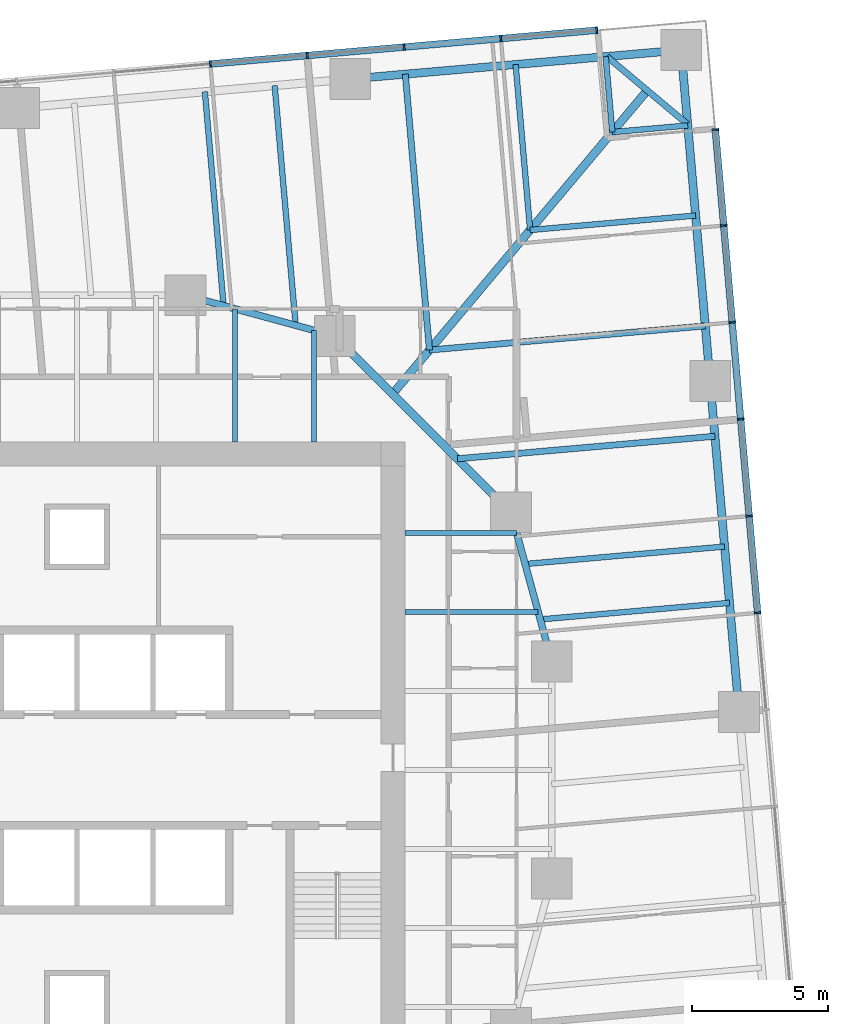
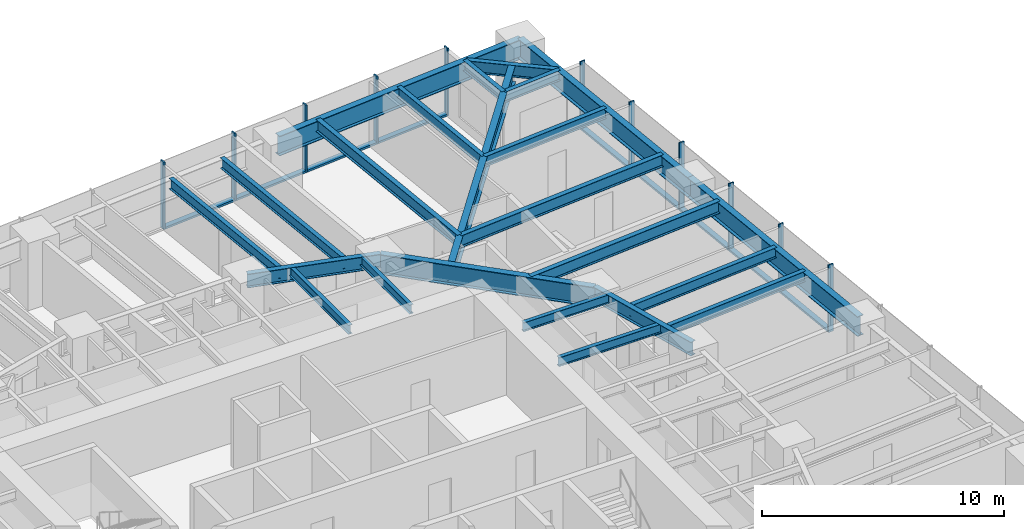
# One storey, part 6 of 14: 23 beams, 20 members, 2 elements without a shape of their own.
"""IFC4 building model written with IfcOpenShell, lengths in metres."""

from ifc_helpers import new_model, si_unit, direction, frame, origin, origin_2d, place, context, subcontext, project, spatial, rectangle, i_section, extrude, material, material_profile, profile_set, type_object, element, aggregate, save


model = new_model("IFC4")

# Units and contexts
model_context = context("Model", 3, precision=1e-05, world=origin(), true_north=direction((0.0, 1.0)))
body_context = subcontext(model_context, "Body", "Model", "MODEL_VIEW")
ifc_project = project(units=[si_unit("LENGTHUNIT", "METRE"), si_unit("AREAUNIT", "SQUARE_METRE"), si_unit("VOLUMEUNIT", "CUBIC_METRE"), si_unit("PLANEANGLEUNIT", "RADIAN"), si_unit("MASSUNIT", "GRAM", prefix="KILO")], contexts=[model_context])

# Site, building, storey
site_placement = place(None, origin())
site = spatial("IfcSite", under=ifc_project, at=site_placement, CompositionType="ELEMENT")
building_placement = place(site_placement, origin())
building = spatial("IfcBuilding", under=site, at=building_placement, Name="Torsade Residences", CompositionType="ELEMENT")
storey_placement = place(building_placement, frame((0.0, 0.0, 64.199951171875)))
storey = spatial("IfcBuildingStorey", under=building, at=storey_placement, Name="L17", CompositionType="ELEMENT", Elevation=64.199951171875)

# Beams
ifc_material_1 = material(Name="Steel grade 300", Category="steel")
ifc_material_profile_1 = material_profile(ifc_material_1, i_section(OverallWidth=0.300048828125, OverallDepth=0.89990234375, WebThickness=0.011962890625, FlangeThickness=0.02490234375, at=origin_2d()), Name="900WB175")
ifc_profile_set_1 = profile_set([ifc_material_profile_1], Name="Steel grade 300")
beam_type_1 = type_object("IfcBeamType", Name="CORNER GIRDER 900WB175", PredefinedType="BEAM", material=ifc_profile_set_1)
beam_1_placement = place(storey_placement, frame((61.021484375, 55.052490234375, 2.800048828125), z_axis=(-0.642785419012, -0.766046281307, 0.0), x_axis=(0.766046281307, -0.642785419012, 0.0)))
element("IfcBeam", 1, at=beam_1_placement, inside=storey, type_object=beam_type_1, Name="Corner girder 09 L18", PredefinedType="BEAM", context=body_context, shape_type="SweptSolid", body=[
    extrude(i_section(OverallWidth=0.300048828125, OverallDepth=0.89990234375, WebThickness=0.011962890625, FlangeThickness=0.02490234375, at=origin_2d()), origin(), (0.0, 0.0, 1.0), 14.603515625),
])
ifc_material_2 = material(Name="Steel grade 300", Category="steel")
ifc_material_profile_2 = material_profile(ifc_material_2, i_section(OverallWidth=0.22802734375, OverallDepth=0.60205078125, WebThickness=0.010498046875, FlangeThickness=0.014892578125, FilletRadius=0.013916015625, at=origin_2d()), Name="610UB101")
ifc_profile_set_2 = profile_set([ifc_material_profile_2], Name="Steel grade 300")
beam_type_2 = type_object("IfcBeamType", Name="CORNER TRIMMER 610UB101", PredefinedType="BEAM", material=ifc_profile_set_2)
beam_2_placement = place(storey_placement, frame((59.531982421875, 56.302490234375, 2.948974609375), z_axis=(0.766030001697, -0.642804819911, 0.0), x_axis=(0.642804819911, 0.766030001697, 0.0)))
element("IfcBeam", 2, at=beam_2_placement, inside=storey, type_object=beam_type_2, Name="Corner trimmer 09 L18", PredefinedType="BEAM", context=body_context, shape_type="SweptSolid", body=[
    extrude(i_section(OverallWidth=0.22802734375, OverallDepth=0.60205078125, WebThickness=0.010498046875, FlangeThickness=0.014892578125, FilletRadius=0.013916015625, at=origin_2d()), origin(), (0.0, 0.0, 1.0), 3.88916015625),
])

# Curtain wall, members
ifc_material_3 = material(Name="Aluminium and glass", Category="aluminium")
curtain_wall_type = type_object("IfcCurtainWallType", Name="FRITTED GLASS CURTAIN WALL LOW ZONE", PredefinedType="NOTDEFINED", material=ifc_material_3)
curtain_wall_1_placement = place(storey_placement, origin())
curtain_wall_1 = element("IfcCurtainWall", 3, at=curtain_wall_1_placement, inside=storey, type_object=curtain_wall_type, Name="Curtain wall L17 face 4", PredefinedType="NOTDEFINED")
ifc_material_4 = material(Name="Aluminium mullion", Category="aluminium")
ifc_material_profile_3 = material_profile(ifc_material_4, rectangle(XDim=0.25, YDim=0.06494140625, at=origin_2d()), Name="CURTAIN WALL MULLION 250x65")
ifc_profile_set_3 = profile_set([ifc_material_profile_3], Name="Aluminium mullion")
member_type_1 = type_object("IfcMemberType", Name="CURTAIN WALL MULLION 250x65", PredefinedType="MULLION", material=ifc_profile_set_3)
member_1_placement = place(storey_placement, frame((65.090576171875, 35.792236328125, 0.0), z_axis=(0.0, 0.0, 1.0), x_axis=(-0.996194697964, -0.087155744208, 0.0)))
member_1 = element("IfcMember", 4, at=member_1_placement, type_object=member_type_1, Name="Mullion 8", PredefinedType="MULLION", context=body_context, shape_type="SweptSolid", body=[
    extrude(rectangle(XDim=0.25, YDim=0.06494140625, at=origin_2d()), origin(), (0.0, 0.0, 1.0), 3.400146484375),
])
member_2_placement = place(storey_placement, frame((64.7783203125, 39.36181640625, 0.0), z_axis=(0.0, 0.0, 1.0), x_axis=(-0.996194697964, -0.087155744208, 0.0)))
member_2 = element("IfcMember", 5, at=member_2_placement, type_object=member_type_1, Name="Mullion 9", PredefinedType="MULLION", context=body_context, shape_type="SweptSolid", body=[
    extrude(rectangle(XDim=0.25, YDim=0.06494140625, at=origin_2d()), origin(), (0.0, 0.0, 1.0), 3.400146484375),
])
member_3_placement = place(storey_placement, frame((64.466064453125, 42.931640625, 0.0), z_axis=(0.0, 0.0, 1.0), x_axis=(-0.996194697964, -0.087155744208, 0.0)))
member_3 = element("IfcMember", 6, at=member_3_placement, type_object=member_type_1, Name="Mullion 10", PredefinedType="MULLION", context=body_context, shape_type="SweptSolid", body=[
    extrude(rectangle(XDim=0.25, YDim=0.06494140625, at=origin_2d()), origin(), (0.0, 0.0, 1.0), 3.400146484375),
])
member_4_placement = place(storey_placement, frame((64.15380859375, 46.501220703125, 0.0), z_axis=(0.0, 0.0, 1.0), x_axis=(-0.996194697964, -0.087155744208, 0.0)))
member_4 = element("IfcMember", 7, at=member_4_placement, type_object=member_type_1, Name="Mullion 11", PredefinedType="MULLION", context=body_context, shape_type="SweptSolid", body=[
    extrude(rectangle(XDim=0.25, YDim=0.06494140625, at=origin_2d()), origin(), (0.0, 0.0, 1.0), 3.400146484375),
])
member_5_placement = place(storey_placement, frame((63.84130859375, 50.071044921875, 0.0), z_axis=(0.0, 0.0, 1.0), x_axis=(-0.996194697964, -0.087155744208, 0.0)))
member_5 = element("IfcMember", 8, at=member_5_placement, type_object=member_type_1, Name="Mullion 12", PredefinedType="MULLION", context=body_context, shape_type="SweptSolid", body=[
    extrude(rectangle(XDim=0.25, YDim=0.06494140625, at=origin_2d()), origin(), (0.0, 0.0, 1.0), 3.400146484375),
])
member_6_placement = place(storey_placement, frame((63.531982421875, 53.6083984375, 0.0), z_axis=(0.0, 0.0, 1.0), x_axis=(-0.996194697964, -0.087155744208, 0.0)))
member_6 = element("IfcMember", 9, at=member_6_placement, type_object=member_type_1, Name="Mullion 13", PredefinedType="MULLION", context=body_context, shape_type="SweptSolid", body=[
    extrude(rectangle(XDim=0.25, YDim=0.06494140625, at=origin_2d()), origin(), (0.0, 0.0, 1.0), 3.400146484375),
])

curtain_wall_2_placement = place(storey_placement, origin())
curtain_wall_2 = element("IfcCurtainWall", 10, at=curtain_wall_2_placement, inside=storey, type_object=curtain_wall_type, Name="Curtain wall L17 face 7", PredefinedType="NOTDEFINED")
member_7_placement = place(storey_placement, frame((59.163330078125, 57.27392578125, 0.0), z_axis=(0.0, 0.0, 1.0), x_axis=(0.087155744208, -0.996194697964, 0.0)))
member_7 = element("IfcMember", 11, at=member_7_placement, type_object=member_type_1, Name="Mullion 1", PredefinedType="MULLION", context=body_context, shape_type="SweptSolid", body=[
    extrude(rectangle(XDim=0.25, YDim=0.06494140625, at=origin_2d()), origin(), (0.0, 0.0, 1.0), 3.400146484375),
])
member_8_placement = place(storey_placement, frame((55.6259765625, 56.964599609375, 0.0), z_axis=(0.0, 0.0, 1.0), x_axis=(0.087155744208, -0.996194697964, 0.0)))
member_8 = element("IfcMember", 12, at=member_8_placement, type_object=member_type_1, Name="Mullion 2", PredefinedType="MULLION", context=body_context, shape_type="SweptSolid", body=[
    extrude(rectangle(XDim=0.25, YDim=0.06494140625, at=origin_2d()), origin(), (0.0, 0.0, 1.0), 3.400146484375),
])
member_9_placement = place(storey_placement, frame((52.056396484375, 56.652099609375, 0.0), z_axis=(0.0, 0.0, 1.0), x_axis=(0.087155744208, -0.996194697964, 0.0)))
member_9 = element("IfcMember", 13, at=member_9_placement, type_object=member_type_1, Name="Mullion 3", PredefinedType="MULLION", context=body_context, shape_type="SweptSolid", body=[
    extrude(rectangle(XDim=0.25, YDim=0.06494140625, at=origin_2d()), origin(), (0.0, 0.0, 1.0), 3.400146484375),
])
member_10_placement = place(storey_placement, frame((48.486572265625, 56.33984375, 0.0), z_axis=(0.0, 0.0, 1.0), x_axis=(0.087155744208, -0.996194697964, 0.0)))
member_10 = element("IfcMember", 14, at=member_10_placement, type_object=member_type_1, Name="Mullion 4", PredefinedType="MULLION", context=body_context, shape_type="SweptSolid", body=[
    extrude(rectangle(XDim=0.25, YDim=0.06494140625, at=origin_2d()), origin(), (0.0, 0.0, 1.0), 3.400146484375),
])
member_11_placement = place(storey_placement, frame((44.9169921875, 56.027587890625, 0.0), z_axis=(0.0, 0.0, 1.0), x_axis=(0.087155744208, -0.996194697964, 0.0)))
member_11 = element("IfcMember", 15, at=member_11_placement, type_object=member_type_1, Name="Mullion 5", PredefinedType="MULLION", context=body_context, shape_type="SweptSolid", body=[
    extrude(rectangle(XDim=0.25, YDim=0.06494140625, at=origin_2d()), origin(), (0.0, 0.0, 1.0), 3.400146484375),
])

# Member
ifc_material_5 = material(Name="Aluminium transom", Category="aluminium")
ifc_material_profile_4 = material_profile(ifc_material_5, rectangle(XDim=0.25, YDim=0.10009765625, at=origin_2d()), Name="CURTAIN WALL TRANSOM 250x100")
ifc_profile_set_4 = profile_set([ifc_material_profile_4], Name="Aluminium transom")
member_type_2 = type_object("IfcMemberType", Name="CURTAIN WALL TRANSOM 250x100", PredefinedType="USERDEFINED", material=ifc_profile_set_4)
member_12_placement = place(storey_placement, frame((65.087890625, 35.824462890625, 0.050048828125), z_axis=(-0.08715059597, 0.996195148363, 0.0), x_axis=(-0.996195148363, -0.08715059597, 0.0)))
member_12 = element("IfcMember", 16, at=member_12_placement, type_object=member_type_2, Name="Transom 8.1", ObjectType="TRANSOM", PredefinedType="USERDEFINED", context=body_context, shape_type="SweptSolid", body=[
    extrude(rectangle(XDim=0.25, YDim=0.10009765625, at=origin_2d()), origin(), (0.0, 0.0, 1.0), 3.5185546875),
])

member_13_placement = place(storey_placement, frame((64.775634765625, 39.394287109375, 0.050048828125), z_axis=(-0.087156620531, 0.996194621295, 0.0), x_axis=(-0.996194621295, -0.087156620531, 0.0)))
member_13 = element("IfcMember", 17, at=member_13_placement, type_object=member_type_2, Name="Transom 9.1", ObjectType="TRANSOM", PredefinedType="USERDEFINED", context=body_context, shape_type="SweptSolid", body=[
    extrude(rectangle(XDim=0.25, YDim=0.10009765625, at=origin_2d()), origin(), (0.0, 0.0, 1.0), 3.518310546875),
])

member_14_placement = place(storey_placement, frame((64.463134765625, 42.9638671875, 0.050048828125), z_axis=(-0.08715059597, 0.996195148363, 0.0), x_axis=(-0.996195148363, -0.08715059597, 0.0)))
member_14 = element("IfcMember", 18, at=member_14_placement, type_object=member_type_2, Name="Transom 10.1", ObjectType="TRANSOM", PredefinedType="USERDEFINED", context=body_context, shape_type="SweptSolid", body=[
    extrude(rectangle(XDim=0.25, YDim=0.10009765625, at=origin_2d()), origin(), (0.0, 0.0, 1.0), 3.5185546875),
])

member_15_placement = place(storey_placement, frame((64.15087890625, 46.53369140625, 0.050048828125), z_axis=(-0.087156620531, 0.996194621295, 0.0), x_axis=(-0.996194621295, -0.087156620531, 0.0)))
member_15 = element("IfcMember", 19, at=member_15_placement, type_object=member_type_2, Name="Transom 11.1", ObjectType="TRANSOM", PredefinedType="USERDEFINED", context=body_context, shape_type="SweptSolid", body=[
    extrude(rectangle(XDim=0.25, YDim=0.10009765625, at=origin_2d()), origin(), (0.0, 0.0, 1.0), 3.518310546875),
])

member_16_placement = place(storey_placement, frame((63.838623046875, 50.103271484375, 0.050048828125), z_axis=(-0.08719475177, 0.996191284475, 0.0), x_axis=(-0.996191284475, -0.08719475177, 0.0)))
member_16 = element("IfcMember", 20, at=member_16_placement, type_object=member_type_2, Name="Transom 12.1", ObjectType="TRANSOM", PredefinedType="USERDEFINED", context=body_context, shape_type="SweptSolid", body=[
    extrude(rectangle(XDim=0.25, YDim=0.10009765625, at=origin_2d()), origin(), (0.0, 0.0, 1.0), 3.48583984375),
])

aggregate(curtain_wall_1, [member_1, member_2, member_3, member_4, member_5, member_6, member_12, member_13, member_14, member_15, member_16])

member_17_placement = place(storey_placement, frame((59.130859375, 57.271240234375, 0.050048828125), z_axis=(-0.996190751941, -0.0872008357, 0.0), x_axis=(0.0872008357, -0.996190751941, 0.0)))
member_17 = element("IfcMember", 21, at=member_17_placement, type_object=member_type_2, Name="Transom 1.1", ObjectType="TRANSOM", PredefinedType="USERDEFINED", context=body_context, shape_type="SweptSolid", body=[
    extrude(rectangle(XDim=0.25, YDim=0.10009765625, at=origin_2d()), origin(), (0.0, 0.0, 1.0), 3.485595703125),
])

member_18_placement = place(storey_placement, frame((55.59375, 56.961669921875, 0.050048828125), z_axis=(-0.996195148363, -0.08715059597, 0.0), x_axis=(0.08715059597, -0.996195148363, 0.0)))
member_18 = element("IfcMember", 22, at=member_18_placement, type_object=member_type_2, Name="Transom 2.1", ObjectType="TRANSOM", PredefinedType="USERDEFINED", context=body_context, shape_type="SweptSolid", body=[
    extrude(rectangle(XDim=0.25, YDim=0.10009765625, at=origin_2d()), origin(), (0.0, 0.0, 1.0), 3.5185546875),
])

member_19_placement = place(storey_placement, frame((52.02392578125, 56.6494140625, 0.050048828125), z_axis=(-0.996194621295, -0.087156620531, 0.0), x_axis=(0.087156620531, -0.996194621295, 0.0)))
member_19 = element("IfcMember", 23, at=member_19_placement, type_object=member_type_2, Name="Transom 3.1", ObjectType="TRANSOM", PredefinedType="USERDEFINED", context=body_context, shape_type="SweptSolid", body=[
    extrude(rectangle(XDim=0.25, YDim=0.10009765625, at=origin_2d()), origin(), (0.0, 0.0, 1.0), 3.518310546875),
])

member_20_placement = place(storey_placement, frame((48.454345703125, 56.337158203125, 0.050048828125), z_axis=(-0.996195148363, -0.08715059597, 0.0), x_axis=(0.08715059597, -0.996195148363, 0.0)))
member_20 = element("IfcMember", 24, at=member_20_placement, type_object=member_type_2, Name="Transom 4.1", ObjectType="TRANSOM", PredefinedType="USERDEFINED", context=body_context, shape_type="SweptSolid", body=[
    extrude(rectangle(XDim=0.25, YDim=0.10009765625, at=origin_2d()), origin(), (0.0, 0.0, 1.0), 3.5185546875),
])

aggregate(curtain_wall_2, [member_7, member_8, member_9, member_10, member_11, member_17, member_18, member_19, member_20])

# Beams
ifc_material_6 = material(Name="Steel grade 300", Category="steel")
ifc_material_profile_5 = material_profile(ifc_material_6, i_section(OverallWidth=0.300048828125, OverallDepth=1.0, WebThickness=0.01611328125, FlangeThickness=0.028076171875, at=origin_2d()), Name="1000WB215")
ifc_profile_set_5 = profile_set([ifc_material_profile_5], Name="Steel grade 300")
beam_type_3 = type_object("IfcBeamType", Name="EDGE BEAM 1000WB215", PredefinedType="SPANDREL", material=ifc_profile_set_5)
for number, where, z_axis, x_axis, name in (
    (25, (64.40673828125, 32.13525390625, 2.75), (-0.08715335259, 0.996194907201, 0.0), (-0.996194907201, -0.08715335259, 0.0), "Edge beam 07 L18"),
    (26, (63.339111328125, 44.338623046875, 2.75), (-0.08715335259, 0.996194907201, 0.0), (-0.996194907201, -0.08715335259, 0.0), "Edge beam 08 L18"),
    (27, (62.271484375, 56.5419921875, 2.75), (-0.996194907201, -0.08715335259, 0.0), (0.08715335259, -0.996194907201, 0.0), "Edge beam 09 L18"),
):
    element("IfcBeam", number, at=place(storey_placement, frame(where, z_axis=z_axis, x_axis=x_axis)), inside=storey, type_object=beam_type_3, Name=name, PredefinedType="SPANDREL", context=body_context, shape_type="SweptSolid", body=[
        extrude(i_section(OverallWidth=0.300048828125, OverallDepth=1.0, WebThickness=0.01611328125, FlangeThickness=0.028076171875, at=origin_2d()), origin(), (0.0, 0.0, 1.0), 12.25),
    ])
ifc_material_7 = material(Name="Steel grade 300", Category="steel")
ifc_material_profile_6 = material_profile(ifc_material_7, i_section(OverallWidth=0.18994140625, OverallDepth=0.4541015625, WebThickness=0.008544921875, FlangeThickness=0.0126953125, FilletRadius=0.011474609375, at=origin_2d()), Name="460UB67.1")
ifc_profile_set_6 = profile_set([ifc_material_profile_6], Name="Steel grade 300")
beam_type_4 = type_object("IfcBeamType", Name="INNER FLOOR BEAM 460UB67.1", PredefinedType="JOIST", material=ifc_profile_set_6)
beam_3_placement = place(storey_placement, frame((45.824951171875, 42.10009765625, 3.02294921875), z_axis=(0.0, 1.0, 0.0), x_axis=(-1.0, 0.0, 0.0)))
element("IfcBeam", 28, at=beam_3_placement, inside=storey, type_object=beam_type_4, Name="Inner floor beam IN06 L18", PredefinedType="JOIST", context=body_context, shape_type="SweptSolid", body=[
    extrude(i_section(OverallWidth=0.18994140625, OverallDepth=0.4541015625, WebThickness=0.008544921875, FlangeThickness=0.0126953125, FilletRadius=0.011474609375, at=origin_2d()), origin(), (0.0, 0.0, 1.0), 4.902099609375),
])
beam_4_placement = place(storey_placement, frame((48.737548828125, 42.10009765625, 3.02294921875), z_axis=(0.0, 1.0, 0.0), x_axis=(-1.0, 0.0, 0.0)))
element("IfcBeam", 29, at=beam_4_placement, inside=storey, type_object=beam_type_4, Name="Inner floor beam IN07 L18", PredefinedType="JOIST", context=body_context, shape_type="SweptSolid", body=[
    extrude(i_section(OverallWidth=0.18994140625, OverallDepth=0.4541015625, WebThickness=0.008544921875, FlangeThickness=0.0126953125, FilletRadius=0.011474609375, at=origin_2d()), origin(), (0.0, 0.0, 1.0), 4.10791015625),
])
beam_5_placement = place(storey_placement, frame((52.10009765625, 35.824951171875, 3.02294921875), z_axis=(1.0, 0.0, 0.0), x_axis=(0.0, 1.0, 0.0)))
element("IfcBeam", 30, at=beam_5_placement, inside=storey, type_object=beam_type_4, Name="Inner floor beam IE06 L18", PredefinedType="JOIST", context=body_context, shape_type="SweptSolid", body=[
    extrude(i_section(OverallWidth=0.18994140625, OverallDepth=0.4541015625, WebThickness=0.008544921875, FlangeThickness=0.0126953125, FilletRadius=0.011474609375, at=origin_2d()), origin(), (0.0, 0.0, 1.0), 4.902099609375),
])
beam_6_placement = place(storey_placement, frame((52.10009765625, 38.737548828125, 3.02294921875), z_axis=(1.0, 0.0, 0.0), x_axis=(0.0, 1.0, 0.0)))
element("IfcBeam", 31, at=beam_6_placement, inside=storey, type_object=beam_type_4, Name="Inner floor beam IE07 L18", PredefinedType="JOIST", context=body_context, shape_type="SweptSolid", body=[
    extrude(i_section(OverallWidth=0.18994140625, OverallDepth=0.4541015625, WebThickness=0.008544921875, FlangeThickness=0.0126953125, FilletRadius=0.011474609375, at=origin_2d()), origin(), (0.0, 0.0, 1.0), 4.10791015625),
])
ifc_material_8 = material(Name="Steel grade 300", Category="steel")
ifc_material_profile_7 = material_profile(ifc_material_8, i_section(OverallWidth=0.300048828125, OverallDepth=1.0, WebThickness=0.01611328125, FlangeThickness=0.028076171875, at=origin_2d()), Name="1000WB215")
ifc_profile_set_7 = profile_set([ifc_material_profile_7], Name="Steel grade 300")
beam_type_5 = type_object("IfcBeamType", Name="RING CORNER GIRDER 1000WB215", PredefinedType="BEAM", material=ifc_profile_set_7)
beam_7_placement = place(storey_placement, frame((56.0, 39.5, 2.75), z_axis=(-0.707106781187, 0.707106781187, 0.0), x_axis=(-0.707106781187, -0.707106781187, 0.0)))
element("IfcBeam", 32, at=beam_7_placement, inside=storey, type_object=beam_type_5, Name="Ring girder IR03 L18", PredefinedType="BEAM", context=body_context, shape_type="SweptSolid", body=[
    extrude(i_section(OverallWidth=0.300048828125, OverallDepth=1.0, WebThickness=0.01611328125, FlangeThickness=0.028076171875, at=origin_2d()), origin(), (0.0, 0.0, 1.0), 9.1923828125),
])
ifc_material_9 = material(Name="Steel grade 300", Category="steel")
ifc_material_profile_8 = material_profile(ifc_material_9, i_section(OverallWidth=0.25, OverallDepth=0.699951171875, WebThickness=0.010009765625, FlangeThickness=0.02001953125, at=origin_2d()), Name="700WB130")
ifc_profile_set_8 = profile_set([ifc_material_profile_8], Name="Steel grade 300")
beam_type_6 = type_object("IfcBeamType", Name="RING GIRDER 700WB130", PredefinedType="BEAM", material=ifc_profile_set_8)
for number, where, z_axis, x_axis, name in (
    (33, (57.5, 34.0, 2.900146484375), (-0.263117405792, 0.964763821238, 0.0), (-0.964763821238, -0.263117405792, 0.0), "Ring girder IR02 L18"),
    (34, (49.5, 46.0, 2.900146484375), (-0.964763821238, 0.263117405792, 0.0), (-0.263117405792, -0.964763821238, 0.0), "Ring girder IR04 L18"),
):
    element("IfcBeam", number, at=place(storey_placement, frame(where, z_axis=z_axis, x_axis=x_axis)), inside=storey, type_object=beam_type_6, Name=name, PredefinedType="BEAM", context=body_context, shape_type="SweptSolid", body=[
        extrude(i_section(OverallWidth=0.25, OverallDepth=0.699951171875, WebThickness=0.010009765625, FlangeThickness=0.02001953125, at=origin_2d()), origin(), (0.0, 0.0, 1.0), 5.700927734375),
    ])
ifc_material_10 = material(Name="Steel grade 300", Category="steel")
ifc_material_profile_9 = material_profile(ifc_material_10, i_section(OverallWidth=0.208984375, OverallDepth=0.528076171875, WebThickness=0.009521484375, FlangeThickness=0.01318359375, FilletRadius=0.013916015625, at=origin_2d()), Name="530UB82.0")
ifc_profile_set_9 = profile_set([ifc_material_profile_9], Name="Steel grade 300")
beam_type_7 = type_object("IfcBeamType", Name="SECONDARY BEAM 530UB82.0", PredefinedType="JOIST", material=ifc_profile_set_9)
beam_8_placement = place(storey_placement, frame((64.054443359375, 36.16162109375, 2.986083984375), z_axis=(-0.99619296077, -0.087175598142, 0.0), x_axis=(0.087175598142, -0.99619296077, 0.0)))
element("IfcBeam", 35, at=beam_8_placement, inside=storey, type_object=beam_type_7, Name="Floor beam FE07 L18", PredefinedType="JOIST", context=body_context, shape_type="SweptSolid", body=[
    extrude(i_section(OverallWidth=0.208984375, OverallDepth=0.528076171875, WebThickness=0.009521484375, FlangeThickness=0.01318359375, FilletRadius=0.013916015625, at=origin_2d()), origin(), (0.0, 0.0, 1.0), 7.004150390625),
])
beam_9_placement = place(storey_placement, frame((63.873046875, 38.237060546875, 2.986083984375), z_axis=(-0.996194650902, -0.087156282128, 0.0), x_axis=(0.087156282128, -0.996194650902, 0.0)))
element("IfcBeam", 36, at=beam_9_placement, inside=storey, type_object=beam_type_7, Name="Floor beam FE08 L18", PredefinedType="JOIST", context=body_context, shape_type="SweptSolid", body=[
    extrude(i_section(OverallWidth=0.208984375, OverallDepth=0.528076171875, WebThickness=0.009521484375, FlangeThickness=0.01318359375, FilletRadius=0.013916015625, at=origin_2d()), origin(), (0.0, 0.0, 1.0), 7.381103515625),
])
beam_10_placement = place(storey_placement, frame((62.80517578125, 50.4404296875, 2.986083984375), z_axis=(-0.996193025206, -0.087174861801, 0.0), x_axis=(0.087174861801, -0.996193025206, 0.0)))
element("IfcBeam", 37, at=beam_10_placement, inside=storey, type_object=beam_type_7, Name="Floor beam FE11 L18", PredefinedType="JOIST", context=body_context, shape_type="SweptSolid", body=[
    extrude(i_section(OverallWidth=0.208984375, OverallDepth=0.528076171875, WebThickness=0.009521484375, FlangeThickness=0.01318359375, FilletRadius=0.013916015625, at=origin_2d()), origin(), (0.0, 0.0, 1.0), 6.125),
])
for number, where, z_axis, x_axis, name in (
    (38, (62.5146484375, 53.760986328125, 2.986083984375), (-0.996199126418, -0.087105111923, 0.0), (0.087105111923, -0.996199126418, 0.0), "Floor beam FE12 L18"),
    (39, (59.490478515625, 56.298828125, 2.986083984375), (0.087105111923, -0.996199126418, 0.0), (0.996199126418, 0.087105111923, 0.0), "Floor beam FN01 L18"),
):
    element("IfcBeam", number, at=place(storey_placement, frame(where, z_axis=z_axis, x_axis=x_axis)), inside=storey, type_object=beam_type_7, Name=name, PredefinedType="JOIST", context=body_context, shape_type="SweptSolid", body=[
        extrude(i_section(OverallWidth=0.208984375, OverallDepth=0.528076171875, WebThickness=0.009521484375, FlangeThickness=0.01318359375, FilletRadius=0.013916015625, at=origin_2d()), origin(), (0.0, 0.0, 1.0), 2.79150390625),
    ])
beam_11_placement = place(storey_placement, frame((56.169677734375, 56.00830078125, 2.986083984375), z_axis=(0.087171400335, -0.996193328106, 0.0), x_axis=(0.996193328106, 0.087171400335, 0.0)))
element("IfcBeam", 40, at=beam_11_placement, inside=storey, type_object=beam_type_7, Name="Floor beam FN02 L18", PredefinedType="JOIST", context=body_context, shape_type="SweptSolid", body=[
    extrude(i_section(OverallWidth=0.208984375, OverallDepth=0.528076171875, WebThickness=0.009521484375, FlangeThickness=0.01318359375, FilletRadius=0.013916015625, at=origin_2d()), origin(), (0.0, 0.0, 1.0), 6.125244140625),
])
beam_12_placement = place(storey_placement, frame((47.287109375, 55.231201171875, 2.986083984375), z_axis=(0.08714612802, -0.996195539225, 0.0), x_axis=(0.996195539225, 0.08714612802, 0.0)))
element("IfcBeam", 41, at=beam_12_placement, inside=storey, type_object=beam_type_7, Name="Floor beam FN04 L18", PredefinedType="JOIST", context=body_context, shape_type="SweptSolid", body=[
    extrude(i_section(OverallWidth=0.208984375, OverallDepth=0.528076171875, WebThickness=0.009521484375, FlangeThickness=0.01318359375, FilletRadius=0.013916015625, at=origin_2d()), origin(), (0.0, 0.0, 1.0), 8.872314453125),
])
beam_13_placement = place(storey_placement, frame((44.713623046875, 55.005859375, 2.986083984375), z_axis=(0.087157771408, -0.996194520605, 0.0), x_axis=(0.996194520605, 0.087157771408, 0.0)))
element("IfcBeam", 42, at=beam_13_placement, inside=storey, type_object=beam_type_7, Name="Floor beam FN05 L18", PredefinedType="JOIST", context=body_context, shape_type="SweptSolid", body=[
    extrude(i_section(OverallWidth=0.208984375, OverallDepth=0.528076171875, WebThickness=0.009521484375, FlangeThickness=0.01318359375, FilletRadius=0.013916015625, at=origin_2d()), origin(), (0.0, 0.0, 1.0), 7.918701171875),
])
ifc_material_11 = material(Name="Steel grade 300", Category="steel")
ifc_material_profile_10 = material_profile(ifc_material_11, i_section(OverallWidth=0.22900390625, OverallDepth=0.612060546875, WebThickness=0.011962890625, FlangeThickness=0.01953125, FilletRadius=0.013916015625, at=origin_2d()), Name="610UB125")
ifc_profile_set_10 = profile_set([ifc_material_profile_10], Name="Steel grade 300")
beam_type_8 = type_object("IfcBeamType", Name="SECONDARY BEAM 610UB125", PredefinedType="JOIST", material=ifc_profile_set_10)
beam_14_placement = place(storey_placement, frame((63.51708984375, 42.3046875, 2.944091796875), z_axis=(-0.996195358323, -0.087148195942, 0.0), x_axis=(0.087148195942, -0.996195358323, 0.0)))
element("IfcBeam", 43, at=beam_14_placement, inside=storey, type_object=beam_type_8, Name="Floor beam FE09 L18", PredefinedType="JOIST", context=body_context, shape_type="SweptSolid", body=[
    extrude(i_section(OverallWidth=0.22900390625, OverallDepth=0.612060546875, WebThickness=0.011962890625, FlangeThickness=0.01953125, FilletRadius=0.013916015625, at=origin_2d()), origin(), (0.0, 0.0, 1.0), 9.527587890625),
])
for number, where, z_axis, x_axis, name in (
    (44, (63.1611328125, 46.37255859375, 2.944091796875), (-0.996195222988, -0.087149742944, 0.0), (0.087149742944, -0.996195222988, 0.0), "Floor beam FE10 L18"),
    (45, (52.10205078125, 55.65234375, 2.944091796875), (0.087149742944, -0.996195222988, 0.0), (0.996195222988, 0.087149742944, 0.0), "Floor beam FN03 L18"),
):
    element("IfcBeam", number, at=place(storey_placement, frame(where, z_axis=z_axis, x_axis=x_axis)), inside=storey, type_object=beam_type_8, Name=name, PredefinedType="JOIST", context=body_context, shape_type="SweptSolid", body=[
        extrude(i_section(OverallWidth=0.22900390625, OverallDepth=0.612060546875, WebThickness=0.011962890625, FlangeThickness=0.01953125, FilletRadius=0.013916015625, at=origin_2d()), origin(), (0.0, 0.0, 1.0), 10.208251953125),
    ])

save(model, "model.ifc")
